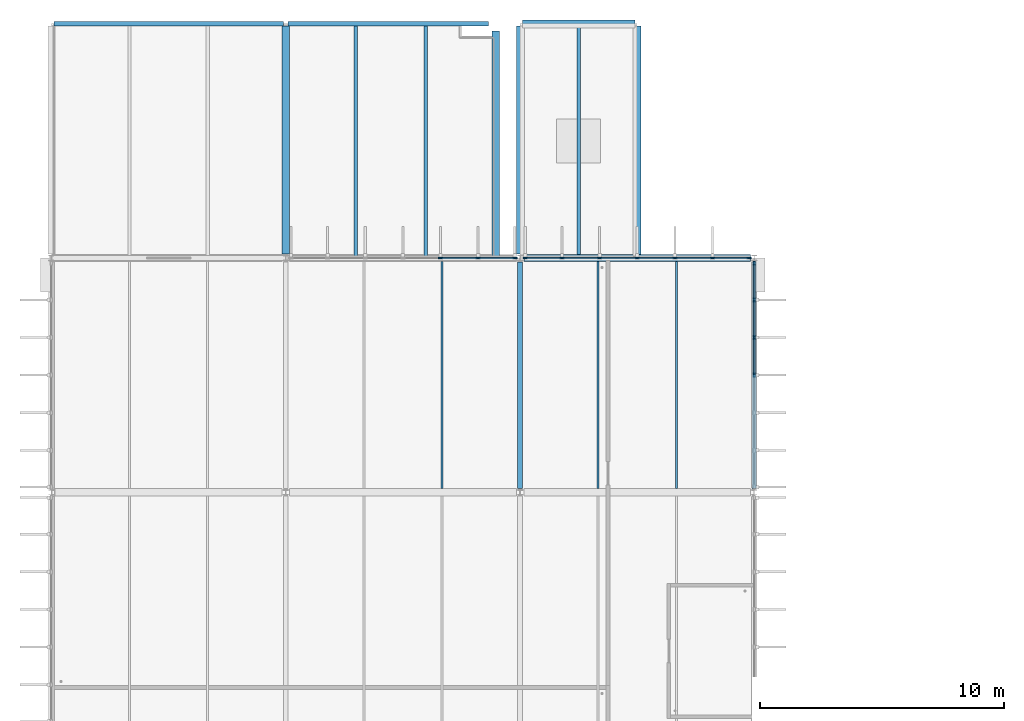
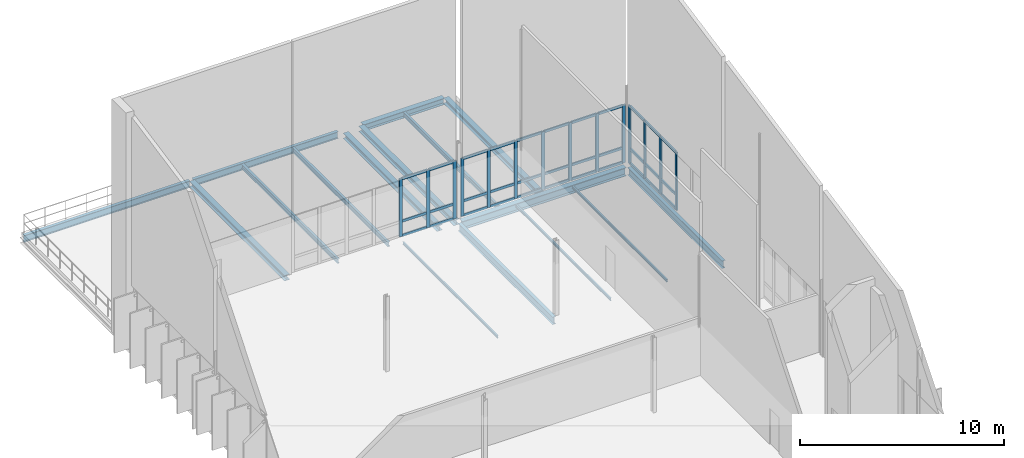
# One storey, part 37 of 93: 47 members, 16 beams, 3 elements without a shape of their own.
"""IFC4 building model written with IfcOpenShell, lengths in metres."""

from ifc_helpers import new_model, si_unit, direction, frame, origin, origin_2d, place, context, subcontext, project, spatial, rectangle, i_section, extrude, material, material_profile, profile_set, type_object, element, aggregate, save


model = new_model("IFC4")

# Units and contexts
model_context = context("Model", 3, precision=1e-05, world=origin(), true_north=direction((0.0, 1.0)))
body_context = subcontext(model_context, "Body", "Model", "MODEL_VIEW")
ifc_project = project(units=[si_unit("LENGTHUNIT", "METRE"), si_unit("AREAUNIT", "SQUARE_METRE"), si_unit("VOLUMEUNIT", "CUBIC_METRE"), si_unit("PLANEANGLEUNIT", "RADIAN"), si_unit("MASSUNIT", "GRAM", prefix="KILO")], contexts=[model_context])

# Site, building, storey
site_placement = place(None, origin())
site = spatial("IfcSite", under=ifc_project, at=site_placement, CompositionType="ELEMENT")
building_placement = place(site_placement, origin())
building = spatial("IfcBuilding", under=site, at=building_placement, Name="Dunescarp Central Library", CompositionType="ELEMENT")
storey_placement = place(building_placement, frame((0.0, 0.0, 14.10009765625)))
storey = spatial("IfcBuildingStorey", under=building, at=storey_placement, Name="L03", CompositionType="ELEMENT", Elevation=14.10009765625)

# Curtain wall, members
ifc_material_1 = material(Name="Marine-grade anodised aluminium 6063-T6", Category="aluminium")
curtain_wall_type = type_object("IfcCurtainWallType", Name="ARC-CW-STICK", PredefinedType="NOTDEFINED", material=ifc_material_1)
curtain_wall_1_placement = place(storey_placement, origin())
curtain_wall_1 = element("IfcCurtainWall", 1, at=curtain_wall_1_placement, inside=storey, type_object=curtain_wall_type, Name="L03 curtain wall CW-V4-135", PredefinedType="NOTDEFINED")
ifc_material_profile_1 = material_profile(ifc_material_1, rectangle(XDim=0.080078125, YDim=0.179931640625, at=origin_2d()), Name="AL 80x180")
ifc_profile_set_1 = profile_set([ifc_material_profile_1], Name="Marine-grade anodised aluminium 6063-T6")
member_type_1 = type_object("IfcMemberType", Name="ARC-CWM-180", PredefinedType="MULLION", material=ifc_profile_set_1)
member_1_placement = place(storey_placement, frame((28.800048828125, 89.385009765625, 0.0), z_axis=(0.0, 0.0, 1.0), x_axis=(1.0, 0.0, 0.0)))
member_1 = element("IfcMember", 2, at=member_1_placement, type_object=member_type_1, Name="CW-V4-135 mullion 1", PredefinedType="MULLION", context=body_context, shape_type="SweptSolid", body=[
    extrude(rectangle(XDim=0.080078125, YDim=0.179931640625, at=origin_2d()), origin(), (0.0, 0.0, 1.0), 3.48193359375),
])
member_2_placement = place(storey_placement, frame((28.800048828125, 87.88330078125, 0.0), z_axis=(0.0, 0.0, 1.0), x_axis=(1.0, 0.0, 0.0)))
member_2 = element("IfcMember", 3, at=member_2_placement, type_object=member_type_1, Name="CW-V4-135 mullion 2", PredefinedType="MULLION", context=body_context, shape_type="SweptSolid", body=[
    extrude(rectangle(XDim=0.080078125, YDim=0.179931640625, at=origin_2d()), origin(), (0.0, 0.0, 1.0), 3.48193359375),
])
member_3_placement = place(storey_placement, frame((28.800048828125, 86.341552734375, 0.0), z_axis=(0.0, 0.0, 1.0), x_axis=(1.0, 0.0, 0.0)))
member_3 = element("IfcMember", 4, at=member_3_placement, type_object=member_type_1, Name="CW-V4-135 mullion 3", PredefinedType="MULLION", context=body_context, shape_type="SweptSolid", body=[
    extrude(rectangle(XDim=0.080078125, YDim=0.179931640625, at=origin_2d()), origin(), (0.0, 0.0, 1.0), 3.48193359375),
])
member_4_placement = place(storey_placement, frame((28.800048828125, 84.800048828125, 0.0), z_axis=(0.0, 0.0, 1.0), x_axis=(1.0, 0.0, 0.0)))
member_4 = element("IfcMember", 5, at=member_4_placement, type_object=member_type_1, Name="CW-V4-135 mullion 4", PredefinedType="MULLION", context=body_context, shape_type="SweptSolid", body=[
    extrude(rectangle(XDim=0.080078125, YDim=0.179931640625, at=origin_2d()), origin(), (0.0, 0.0, 1.0), 3.48193359375),
])

curtain_wall_2_placement = place(storey_placement, origin())
curtain_wall_2 = element("IfcCurtainWall", 6, at=curtain_wall_2_placement, inside=storey, type_object=curtain_wall_type, Name="L03 curtain wall CW-V4-136", PredefinedType="NOTDEFINED")
member_5_placement = place(storey_placement, frame((15.941650390625, 89.60009765625, 0.0), z_axis=(0.0, 0.0, 1.0), x_axis=(0.0, 1.0, 0.0)))
member_5 = element("IfcMember", 7, at=member_5_placement, type_object=member_type_1, Name="CW-V4-136 mullion 5", PredefinedType="MULLION", context=body_context, shape_type="SweptSolid", body=[
    extrude(rectangle(XDim=0.080078125, YDim=0.179931640625, at=origin_2d()), origin(), (0.0, 0.0, 1.0), 3.474853515625),
])
member_6_placement = place(storey_placement, frame((17.4833984375, 89.60009765625, 0.0), z_axis=(0.0, 0.0, 1.0), x_axis=(0.0, 1.0, 0.0)))
member_6 = element("IfcMember", 8, at=member_6_placement, type_object=member_type_1, Name="CW-V4-136 mullion 6", PredefinedType="MULLION", context=body_context, shape_type="SweptSolid", body=[
    extrude(rectangle(XDim=0.080078125, YDim=0.179931640625, at=origin_2d()), origin(), (0.0, 0.0, 1.0), 3.474853515625),
])
member_7_placement = place(storey_placement, frame((18.985107421875, 89.60009765625, 0.0), z_axis=(0.0, 0.0, 1.0), x_axis=(0.0, 1.0, 0.0)))
member_7 = element("IfcMember", 9, at=member_7_placement, type_object=member_type_1, Name="CW-V4-136 mullion 7", PredefinedType="MULLION", context=body_context, shape_type="SweptSolid", body=[
    extrude(rectangle(XDim=0.080078125, YDim=0.179931640625, at=origin_2d()), origin(), (0.0, 0.0, 1.0), 3.474853515625),
])

curtain_wall_3_placement = place(storey_placement, origin())
curtain_wall_3 = element("IfcCurtainWall", 10, at=curtain_wall_3_placement, inside=storey, type_object=curtain_wall_type, Name="L03 curtain wall CW-V4-137", PredefinedType="NOTDEFINED")
member_8_placement = place(storey_placement, frame((19.4150390625, 89.60009765625, 0.0), z_axis=(0.0, 0.0, 1.0), x_axis=(0.0, 1.0, 0.0)))
member_8 = element("IfcMember", 11, at=member_8_placement, type_object=member_type_1, Name="CW-V4-137 mullion 1", PredefinedType="MULLION", context=body_context, shape_type="SweptSolid", body=[
    extrude(rectangle(XDim=0.080078125, YDim=0.179931640625, at=origin_2d()), origin(), (0.0, 0.0, 1.0), 3.474853515625),
])
member_9_placement = place(storey_placement, frame((20.916748046875, 89.60009765625, 0.0), z_axis=(0.0, 0.0, 1.0), x_axis=(0.0, 1.0, 0.0)))
member_9 = element("IfcMember", 12, at=member_9_placement, type_object=member_type_1, Name="CW-V4-137 mullion 2", PredefinedType="MULLION", context=body_context, shape_type="SweptSolid", body=[
    extrude(rectangle(XDim=0.080078125, YDim=0.179931640625, at=origin_2d()), origin(), (0.0, 0.0, 1.0), 3.474853515625),
])
member_10_placement = place(storey_placement, frame((22.458251953125, 89.60009765625, 0.0), z_axis=(0.0, 0.0, 1.0), x_axis=(0.0, 1.0, 0.0)))
member_10 = element("IfcMember", 13, at=member_10_placement, type_object=member_type_1, Name="CW-V4-137 mullion 3", PredefinedType="MULLION", context=body_context, shape_type="SweptSolid", body=[
    extrude(rectangle(XDim=0.080078125, YDim=0.179931640625, at=origin_2d()), origin(), (0.0, 0.0, 1.0), 3.474853515625),
])
member_11_placement = place(storey_placement, frame((24.0, 89.60009765625, 0.0), z_axis=(0.0, 0.0, 1.0), x_axis=(0.0, 1.0, 0.0)))
member_11 = element("IfcMember", 14, at=member_11_placement, type_object=member_type_1, Name="CW-V4-137 mullion 4", PredefinedType="MULLION", context=body_context, shape_type="SweptSolid", body=[
    extrude(rectangle(XDim=0.080078125, YDim=0.179931640625, at=origin_2d()), origin(), (0.0, 0.0, 1.0), 3.474853515625),
])
member_12_placement = place(storey_placement, frame((25.541748046875, 89.60009765625, 0.0), z_axis=(0.0, 0.0, 1.0), x_axis=(0.0, 1.0, 0.0)))
member_12 = element("IfcMember", 15, at=member_12_placement, type_object=member_type_1, Name="CW-V4-137 mullion 5", PredefinedType="MULLION", context=body_context, shape_type="SweptSolid", body=[
    extrude(rectangle(XDim=0.080078125, YDim=0.179931640625, at=origin_2d()), origin(), (0.0, 0.0, 1.0), 3.474853515625),
])
member_13_placement = place(storey_placement, frame((27.083251953125, 89.60009765625, 0.0), z_axis=(0.0, 0.0, 1.0), x_axis=(0.0, 1.0, 0.0)))
member_13 = element("IfcMember", 16, at=member_13_placement, type_object=member_type_1, Name="CW-V4-137 mullion 6", PredefinedType="MULLION", context=body_context, shape_type="SweptSolid", body=[
    extrude(rectangle(XDim=0.080078125, YDim=0.179931640625, at=origin_2d()), origin(), (0.0, 0.0, 1.0), 3.474853515625),
])
member_14_placement = place(storey_placement, frame((28.5849609375, 89.60009765625, 0.0), z_axis=(0.0, 0.0, 1.0), x_axis=(0.0, 1.0, 0.0)))
member_14 = element("IfcMember", 17, at=member_14_placement, type_object=member_type_1, Name="CW-V4-137 mullion 7", PredefinedType="MULLION", context=body_context, shape_type="SweptSolid", body=[
    extrude(rectangle(XDim=0.080078125, YDim=0.179931640625, at=origin_2d()), origin(), (0.0, 0.0, 1.0), 3.474853515625),
])

# Member
ifc_material_profile_2 = material_profile(ifc_material_1, rectangle(XDim=0.080078125, YDim=0.14990234375, at=origin_2d()), Name="AL 80x150")
ifc_profile_set_2 = profile_set([ifc_material_profile_2], Name="Marine-grade anodised aluminium 6063-T6")
member_type_2 = type_object("IfcMemberType", Name="ARC-CWT-150", PredefinedType="USERDEFINED", material=ifc_profile_set_2)
member_15_placement = place(storey_placement, frame((28.800048828125, 89.344970703125, 0.039794921875), z_axis=(0.0, -1.0, 0.0), x_axis=(1.0, 0.0, 0.0)))
member_15 = element("IfcMember", 18, at=member_15_placement, type_object=member_type_2, Name="CW-V4-135 transom 1.1", ObjectType="TRANSOM", PredefinedType="USERDEFINED", context=body_context, shape_type="SweptSolid", body=[
    extrude(rectangle(XDim=0.080078125, YDim=0.14990234375, at=origin_2d()), origin(), (0.0, 0.0, 1.0), 1.421630859375),
])

member_16_placement = place(storey_placement, frame((28.800048828125, 89.344970703125, 0.89990234375), z_axis=(0.0, -1.0, 0.0), x_axis=(1.0, 0.0, 0.0)))
member_16 = element("IfcMember", 19, at=member_16_placement, type_object=member_type_2, Name="CW-V4-135 transom 1.2", ObjectType="TRANSOM", PredefinedType="USERDEFINED", context=body_context, shape_type="SweptSolid", body=[
    extrude(rectangle(XDim=0.080078125, YDim=0.14990234375, at=origin_2d()), origin(), (0.0, 0.0, 1.0), 1.421630859375),
])

member_17_placement = place(storey_placement, frame((28.800048828125, 89.344970703125, 3.44189453125), z_axis=(0.0, -1.0, 0.0), x_axis=(1.0, 0.0, 0.0)))
member_17 = element("IfcMember", 20, at=member_17_placement, type_object=member_type_2, Name="CW-V4-135 transom 1.3", ObjectType="TRANSOM", PredefinedType="USERDEFINED", context=body_context, shape_type="SweptSolid", body=[
    extrude(rectangle(XDim=0.080078125, YDim=0.14990234375, at=origin_2d()), origin(), (0.0, 0.0, 1.0), 1.421630859375),
])

member_18_placement = place(storey_placement, frame((28.800048828125, 87.84326171875, 0.039794921875), z_axis=(0.0, -1.0, 0.0), x_axis=(1.0, 0.0, 0.0)))
member_18 = element("IfcMember", 21, at=member_18_placement, type_object=member_type_2, Name="CW-V4-135 transom 2.1", ObjectType="TRANSOM", PredefinedType="USERDEFINED", context=body_context, shape_type="SweptSolid", body=[
    extrude(rectangle(XDim=0.080078125, YDim=0.14990234375, at=origin_2d()), origin(), (0.0, 0.0, 1.0), 1.461669921875),
])

member_19_placement = place(storey_placement, frame((28.800048828125, 87.84326171875, 0.89990234375), z_axis=(0.0, -1.0, 0.0), x_axis=(1.0, 0.0, 0.0)))
member_19 = element("IfcMember", 22, at=member_19_placement, type_object=member_type_2, Name="CW-V4-135 transom 2.2", ObjectType="TRANSOM", PredefinedType="USERDEFINED", context=body_context, shape_type="SweptSolid", body=[
    extrude(rectangle(XDim=0.080078125, YDim=0.14990234375, at=origin_2d()), origin(), (0.0, 0.0, 1.0), 1.461669921875),
])

member_20_placement = place(storey_placement, frame((28.800048828125, 87.84326171875, 3.44189453125), z_axis=(0.0, -1.0, 0.0), x_axis=(1.0, 0.0, 0.0)))
member_20 = element("IfcMember", 23, at=member_20_placement, type_object=member_type_2, Name="CW-V4-135 transom 2.3", ObjectType="TRANSOM", PredefinedType="USERDEFINED", context=body_context, shape_type="SweptSolid", body=[
    extrude(rectangle(XDim=0.080078125, YDim=0.14990234375, at=origin_2d()), origin(), (0.0, 0.0, 1.0), 1.461669921875),
])

member_21_placement = place(storey_placement, frame((28.800048828125, 86.3017578125, 0.039794921875), z_axis=(0.0, -1.0, 0.0), x_axis=(1.0, 0.0, 0.0)))
member_21 = element("IfcMember", 24, at=member_21_placement, type_object=member_type_2, Name="CW-V4-135 transom 3.1", ObjectType="TRANSOM", PredefinedType="USERDEFINED", context=body_context, shape_type="SweptSolid", body=[
    extrude(rectangle(XDim=0.080078125, YDim=0.14990234375, at=origin_2d()), origin(), (0.0, 0.0, 1.0), 1.461669921875),
])

member_22_placement = place(storey_placement, frame((28.800048828125, 86.3017578125, 0.89990234375), z_axis=(0.0, -1.0, 0.0), x_axis=(1.0, 0.0, 0.0)))
member_22 = element("IfcMember", 25, at=member_22_placement, type_object=member_type_2, Name="CW-V4-135 transom 3.2", ObjectType="TRANSOM", PredefinedType="USERDEFINED", context=body_context, shape_type="SweptSolid", body=[
    extrude(rectangle(XDim=0.080078125, YDim=0.14990234375, at=origin_2d()), origin(), (0.0, 0.0, 1.0), 1.461669921875),
])

member_23_placement = place(storey_placement, frame((28.800048828125, 86.3017578125, 3.44189453125), z_axis=(0.0, -1.0, 0.0), x_axis=(1.0, 0.0, 0.0)))
member_23 = element("IfcMember", 26, at=member_23_placement, type_object=member_type_2, Name="CW-V4-135 transom 3.3", ObjectType="TRANSOM", PredefinedType="USERDEFINED", context=body_context, shape_type="SweptSolid", body=[
    extrude(rectangle(XDim=0.080078125, YDim=0.14990234375, at=origin_2d()), origin(), (0.0, 0.0, 1.0), 1.461669921875),
])

aggregate(curtain_wall_1, [member_1, member_2, member_3, member_4, member_15, member_16, member_17, member_18, member_19, member_20, member_21, member_22, member_23])

member_24_placement = place(storey_placement, frame((15.981689453125, 89.60009765625, 0.039794921875), z_axis=(1.0, 0.0, 0.0), x_axis=(0.0, 1.0, 0.0)))
member_24 = element("IfcMember", 27, at=member_24_placement, type_object=member_type_2, Name="CW-V4-136 transom 5.1", ObjectType="TRANSOM", PredefinedType="USERDEFINED", context=body_context, shape_type="SweptSolid", body=[
    extrude(rectangle(XDim=0.080078125, YDim=0.14990234375, at=origin_2d()), origin(), (0.0, 0.0, 1.0), 1.461669921875),
])

member_25_placement = place(storey_placement, frame((15.981689453125, 89.60009765625, 0.89990234375), z_axis=(1.0, 0.0, 0.0), x_axis=(0.0, 1.0, 0.0)))
member_25 = element("IfcMember", 28, at=member_25_placement, type_object=member_type_2, Name="CW-V4-136 transom 5.2", ObjectType="TRANSOM", PredefinedType="USERDEFINED", context=body_context, shape_type="SweptSolid", body=[
    extrude(rectangle(XDim=0.080078125, YDim=0.14990234375, at=origin_2d()), origin(), (0.0, 0.0, 1.0), 1.461669921875),
])

member_26_placement = place(storey_placement, frame((15.981689453125, 89.60009765625, 3.434814453125), z_axis=(1.0, 0.0, 0.0), x_axis=(0.0, 1.0, 0.0)))
member_26 = element("IfcMember", 29, at=member_26_placement, type_object=member_type_2, Name="CW-V4-136 transom 5.3", ObjectType="TRANSOM", PredefinedType="USERDEFINED", context=body_context, shape_type="SweptSolid", body=[
    extrude(rectangle(XDim=0.080078125, YDim=0.14990234375, at=origin_2d()), origin(), (0.0, 0.0, 1.0), 1.461669921875),
])

member_27_placement = place(storey_placement, frame((17.5234375, 89.60009765625, 0.039794921875), z_axis=(1.0, 0.0, 0.0), x_axis=(0.0, 1.0, 0.0)))
member_27 = element("IfcMember", 30, at=member_27_placement, type_object=member_type_2, Name="CW-V4-136 transom 6.1", ObjectType="TRANSOM", PredefinedType="USERDEFINED", context=body_context, shape_type="SweptSolid", body=[
    extrude(rectangle(XDim=0.080078125, YDim=0.14990234375, at=origin_2d()), origin(), (0.0, 0.0, 1.0), 1.421630859375),
])

member_28_placement = place(storey_placement, frame((17.5234375, 89.60009765625, 0.89990234375), z_axis=(1.0, 0.0, 0.0), x_axis=(0.0, 1.0, 0.0)))
member_28 = element("IfcMember", 31, at=member_28_placement, type_object=member_type_2, Name="CW-V4-136 transom 6.2", ObjectType="TRANSOM", PredefinedType="USERDEFINED", context=body_context, shape_type="SweptSolid", body=[
    extrude(rectangle(XDim=0.080078125, YDim=0.14990234375, at=origin_2d()), origin(), (0.0, 0.0, 1.0), 1.421630859375),
])

member_29_placement = place(storey_placement, frame((17.5234375, 89.60009765625, 3.434814453125), z_axis=(1.0, 0.0, 0.0), x_axis=(0.0, 1.0, 0.0)))
member_29 = element("IfcMember", 32, at=member_29_placement, type_object=member_type_2, Name="CW-V4-136 transom 6.3", ObjectType="TRANSOM", PredefinedType="USERDEFINED", context=body_context, shape_type="SweptSolid", body=[
    extrude(rectangle(XDim=0.080078125, YDim=0.14990234375, at=origin_2d()), origin(), (0.0, 0.0, 1.0), 1.421630859375),
])

aggregate(curtain_wall_2, [member_5, member_6, member_7, member_24, member_25, member_26, member_27, member_28, member_29])

member_30_placement = place(storey_placement, frame((19.455078125, 89.60009765625, 0.039794921875), z_axis=(1.0, 0.0, 0.0), x_axis=(0.0, 1.0, 0.0)))
member_30 = element("IfcMember", 33, at=member_30_placement, type_object=member_type_2, Name="CW-V4-137 transom 1.1", ObjectType="TRANSOM", PredefinedType="USERDEFINED", context=body_context, shape_type="SweptSolid", body=[
    extrude(rectangle(XDim=0.080078125, YDim=0.14990234375, at=origin_2d()), origin(), (0.0, 0.0, 1.0), 1.421630859375),
])

member_31_placement = place(storey_placement, frame((19.455078125, 89.60009765625, 0.89990234375), z_axis=(1.0, 0.0, 0.0), x_axis=(0.0, 1.0, 0.0)))
member_31 = element("IfcMember", 34, at=member_31_placement, type_object=member_type_2, Name="CW-V4-137 transom 1.2", ObjectType="TRANSOM", PredefinedType="USERDEFINED", context=body_context, shape_type="SweptSolid", body=[
    extrude(rectangle(XDim=0.080078125, YDim=0.14990234375, at=origin_2d()), origin(), (0.0, 0.0, 1.0), 1.421630859375),
])

member_32_placement = place(storey_placement, frame((19.455078125, 89.60009765625, 3.434814453125), z_axis=(1.0, 0.0, 0.0), x_axis=(0.0, 1.0, 0.0)))
member_32 = element("IfcMember", 35, at=member_32_placement, type_object=member_type_2, Name="CW-V4-137 transom 1.3", ObjectType="TRANSOM", PredefinedType="USERDEFINED", context=body_context, shape_type="SweptSolid", body=[
    extrude(rectangle(XDim=0.080078125, YDim=0.14990234375, at=origin_2d()), origin(), (0.0, 0.0, 1.0), 1.421630859375),
])

member_33_placement = place(storey_placement, frame((20.956787109375, 89.60009765625, 0.039794921875), z_axis=(1.0, 0.0, 0.0), x_axis=(0.0, 1.0, 0.0)))
member_33 = element("IfcMember", 36, at=member_33_placement, type_object=member_type_2, Name="CW-V4-137 transom 2.1", ObjectType="TRANSOM", PredefinedType="USERDEFINED", context=body_context, shape_type="SweptSolid", body=[
    extrude(rectangle(XDim=0.080078125, YDim=0.14990234375, at=origin_2d()), origin(), (0.0, 0.0, 1.0), 1.46142578125),
])

member_34_placement = place(storey_placement, frame((20.956787109375, 89.60009765625, 0.89990234375), z_axis=(1.0, 0.0, 0.0), x_axis=(0.0, 1.0, 0.0)))
member_34 = element("IfcMember", 37, at=member_34_placement, type_object=member_type_2, Name="CW-V4-137 transom 2.2", ObjectType="TRANSOM", PredefinedType="USERDEFINED", context=body_context, shape_type="SweptSolid", body=[
    extrude(rectangle(XDim=0.080078125, YDim=0.14990234375, at=origin_2d()), origin(), (0.0, 0.0, 1.0), 1.46142578125),
])

member_35_placement = place(storey_placement, frame((20.956787109375, 89.60009765625, 3.434814453125), z_axis=(1.0, 0.0, 0.0), x_axis=(0.0, 1.0, 0.0)))
member_35 = element("IfcMember", 38, at=member_35_placement, type_object=member_type_2, Name="CW-V4-137 transom 2.3", ObjectType="TRANSOM", PredefinedType="USERDEFINED", context=body_context, shape_type="SweptSolid", body=[
    extrude(rectangle(XDim=0.080078125, YDim=0.14990234375, at=origin_2d()), origin(), (0.0, 0.0, 1.0), 1.46142578125),
])

member_36_placement = place(storey_placement, frame((22.498291015625, 89.60009765625, 0.039794921875), z_axis=(1.0, 0.0, 0.0), x_axis=(0.0, 1.0, 0.0)))
member_36 = element("IfcMember", 39, at=member_36_placement, type_object=member_type_2, Name="CW-V4-137 transom 3.1", ObjectType="TRANSOM", PredefinedType="USERDEFINED", context=body_context, shape_type="SweptSolid", body=[
    extrude(rectangle(XDim=0.080078125, YDim=0.14990234375, at=origin_2d()), origin(), (0.0, 0.0, 1.0), 1.461669921875),
])

member_37_placement = place(storey_placement, frame((22.498291015625, 89.60009765625, 0.89990234375), z_axis=(1.0, 0.0, 0.0), x_axis=(0.0, 1.0, 0.0)))
member_37 = element("IfcMember", 40, at=member_37_placement, type_object=member_type_2, Name="CW-V4-137 transom 3.2", ObjectType="TRANSOM", PredefinedType="USERDEFINED", context=body_context, shape_type="SweptSolid", body=[
    extrude(rectangle(XDim=0.080078125, YDim=0.14990234375, at=origin_2d()), origin(), (0.0, 0.0, 1.0), 1.461669921875),
])

member_38_placement = place(storey_placement, frame((22.498291015625, 89.60009765625, 3.434814453125), z_axis=(1.0, 0.0, 0.0), x_axis=(0.0, 1.0, 0.0)))
member_38 = element("IfcMember", 41, at=member_38_placement, type_object=member_type_2, Name="CW-V4-137 transom 3.3", ObjectType="TRANSOM", PredefinedType="USERDEFINED", context=body_context, shape_type="SweptSolid", body=[
    extrude(rectangle(XDim=0.080078125, YDim=0.14990234375, at=origin_2d()), origin(), (0.0, 0.0, 1.0), 1.461669921875),
])

member_39_placement = place(storey_placement, frame((24.0400390625, 89.60009765625, 0.039794921875), z_axis=(1.0, 0.0, 0.0), x_axis=(0.0, 1.0, 0.0)))
member_39 = element("IfcMember", 42, at=member_39_placement, type_object=member_type_2, Name="CW-V4-137 transom 4.1", ObjectType="TRANSOM", PredefinedType="USERDEFINED", context=body_context, shape_type="SweptSolid", body=[
    extrude(rectangle(XDim=0.080078125, YDim=0.14990234375, at=origin_2d()), origin(), (0.0, 0.0, 1.0), 1.461669921875),
])

member_40_placement = place(storey_placement, frame((24.0400390625, 89.60009765625, 0.89990234375), z_axis=(1.0, 0.0, 0.0), x_axis=(0.0, 1.0, 0.0)))
member_40 = element("IfcMember", 43, at=member_40_placement, type_object=member_type_2, Name="CW-V4-137 transom 4.2", ObjectType="TRANSOM", PredefinedType="USERDEFINED", context=body_context, shape_type="SweptSolid", body=[
    extrude(rectangle(XDim=0.080078125, YDim=0.14990234375, at=origin_2d()), origin(), (0.0, 0.0, 1.0), 1.461669921875),
])

member_41_placement = place(storey_placement, frame((24.0400390625, 89.60009765625, 3.434814453125), z_axis=(1.0, 0.0, 0.0), x_axis=(0.0, 1.0, 0.0)))
member_41 = element("IfcMember", 44, at=member_41_placement, type_object=member_type_2, Name="CW-V4-137 transom 4.3", ObjectType="TRANSOM", PredefinedType="USERDEFINED", context=body_context, shape_type="SweptSolid", body=[
    extrude(rectangle(XDim=0.080078125, YDim=0.14990234375, at=origin_2d()), origin(), (0.0, 0.0, 1.0), 1.461669921875),
])

member_42_placement = place(storey_placement, frame((25.581787109375, 89.60009765625, 0.039794921875), z_axis=(1.0, 0.0, 0.0), x_axis=(0.0, 1.0, 0.0)))
member_42 = element("IfcMember", 45, at=member_42_placement, type_object=member_type_2, Name="CW-V4-137 transom 5.1", ObjectType="TRANSOM", PredefinedType="USERDEFINED", context=body_context, shape_type="SweptSolid", body=[
    extrude(rectangle(XDim=0.080078125, YDim=0.14990234375, at=origin_2d()), origin(), (0.0, 0.0, 1.0), 1.46142578125),
])

member_43_placement = place(storey_placement, frame((25.581787109375, 89.60009765625, 0.89990234375), z_axis=(1.0, 0.0, 0.0), x_axis=(0.0, 1.0, 0.0)))
member_43 = element("IfcMember", 46, at=member_43_placement, type_object=member_type_2, Name="CW-V4-137 transom 5.2", ObjectType="TRANSOM", PredefinedType="USERDEFINED", context=body_context, shape_type="SweptSolid", body=[
    extrude(rectangle(XDim=0.080078125, YDim=0.14990234375, at=origin_2d()), origin(), (0.0, 0.0, 1.0), 1.46142578125),
])

member_44_placement = place(storey_placement, frame((25.581787109375, 89.60009765625, 3.434814453125), z_axis=(1.0, 0.0, 0.0), x_axis=(0.0, 1.0, 0.0)))
member_44 = element("IfcMember", 47, at=member_44_placement, type_object=member_type_2, Name="CW-V4-137 transom 5.3", ObjectType="TRANSOM", PredefinedType="USERDEFINED", context=body_context, shape_type="SweptSolid", body=[
    extrude(rectangle(XDim=0.080078125, YDim=0.14990234375, at=origin_2d()), origin(), (0.0, 0.0, 1.0), 1.46142578125),
])

member_45_placement = place(storey_placement, frame((27.123291015625, 89.60009765625, 0.039794921875), z_axis=(1.0, 0.0, 0.0), x_axis=(0.0, 1.0, 0.0)))
member_45 = element("IfcMember", 48, at=member_45_placement, type_object=member_type_2, Name="CW-V4-137 transom 6.1", ObjectType="TRANSOM", PredefinedType="USERDEFINED", context=body_context, shape_type="SweptSolid", body=[
    extrude(rectangle(XDim=0.080078125, YDim=0.14990234375, at=origin_2d()), origin(), (0.0, 0.0, 1.0), 1.421630859375),
])

member_46_placement = place(storey_placement, frame((27.123291015625, 89.60009765625, 0.89990234375), z_axis=(1.0, 0.0, 0.0), x_axis=(0.0, 1.0, 0.0)))
member_46 = element("IfcMember", 49, at=member_46_placement, type_object=member_type_2, Name="CW-V4-137 transom 6.2", ObjectType="TRANSOM", PredefinedType="USERDEFINED", context=body_context, shape_type="SweptSolid", body=[
    extrude(rectangle(XDim=0.080078125, YDim=0.14990234375, at=origin_2d()), origin(), (0.0, 0.0, 1.0), 1.421630859375),
])

member_47_placement = place(storey_placement, frame((27.123291015625, 89.60009765625, 3.434814453125), z_axis=(1.0, 0.0, 0.0), x_axis=(0.0, 1.0, 0.0)))
member_47 = element("IfcMember", 50, at=member_47_placement, type_object=member_type_2, Name="CW-V4-137 transom 6.3", ObjectType="TRANSOM", PredefinedType="USERDEFINED", context=body_context, shape_type="SweptSolid", body=[
    extrude(rectangle(XDim=0.080078125, YDim=0.14990234375, at=origin_2d()), origin(), (0.0, 0.0, 1.0), 1.421630859375),
])

aggregate(curtain_wall_3, [member_8, member_9, member_10, member_11, member_12, member_13, member_14, member_30, member_31, member_32, member_33, member_34, member_35, member_36, member_37, member_38, member_39, member_40, member_41, member_42, member_43, member_44, member_45, member_46, member_47])

# Beams
ifc_material_2 = material(Name="Steel S355JR", Category="steel")
ifc_material_profile_3 = material_profile(ifc_material_2, i_section(OverallWidth=0.300048828125, OverallDepth=0.330078125, WebThickness=0.009521484375, FlangeThickness=0.0166015625, at=origin_2d()), Name="HEA 340")
ifc_profile_set_3 = profile_set([ifc_material_profile_3], Name="Steel S355JR")
beam_type_1 = type_object("IfcBeamType", Name="STR-BM-HEA340", PredefinedType="BEAM", material=ifc_profile_set_3)
beam_1_placement = place(storey_placement, frame((9.60009765625, 89.760986328125, -0.35498046875), z_axis=(0.0, 1.0, 0.0), x_axis=(-1.0, 0.0, 0.0)))
element("IfcBeam", 51, at=beam_1_placement, inside=storey, type_object=beam_type_1, Name="L03 girder BM-L03-1503", PredefinedType="BEAM", context=body_context, shape_type="SweptSolid", body=[
    extrude(i_section(OverallWidth=0.300048828125, OverallDepth=0.330078125, WebThickness=0.009521484375, FlangeThickness=0.0166015625, at=origin_2d()), origin(), (0.0, 0.0, 1.0), 9.340087890625),
])
beam_2_placement = place(storey_placement, frame((18.199951171875, 89.68603515625, -0.35498046875), z_axis=(0.0, 1.0, 0.0), x_axis=(-1.0, 0.0, 0.0)))
element("IfcBeam", 52, at=beam_2_placement, inside=storey, type_object=beam_type_1, Name="L03 girder BM-L03-1507", PredefinedType="BEAM", context=body_context, shape_type="SweptSolid", body=[
    extrude(i_section(OverallWidth=0.300048828125, OverallDepth=0.330078125, WebThickness=0.009521484375, FlangeThickness=0.0166015625, at=origin_2d()), origin(), (0.0, 0.0, 1.0), 9.217041015625),
])
beam_3_placement = place(storey_placement, frame((19.199951171875, 89.760986328125, -0.405029296875), z_axis=(0.0, 1.0, 0.0), x_axis=(-1.0, 0.0, 0.0)))
element("IfcBeam", 53, at=beam_3_placement, inside=storey, type_object=beam_type_1, Name="L03 girder BM-L03-20036", PredefinedType="BEAM", context=body_context, shape_type="SweptSolid", body=[
    extrude(i_section(OverallWidth=0.300048828125, OverallDepth=0.330078125, WebThickness=0.009521484375, FlangeThickness=0.0166015625, at=origin_2d()), origin(), (0.0, 0.0, 1.0), 9.340087890625),
])
beam_4_placement = place(storey_placement, frame((24.0, 89.698974609375, -0.405029296875), z_axis=(0.0, 1.0, 0.0), x_axis=(-1.0, 0.0, 0.0)))
element("IfcBeam", 54, at=beam_4_placement, inside=storey, type_object=beam_type_1, Name="L03 girder BM-L03-20037", PredefinedType="BEAM", context=body_context, shape_type="SweptSolid", body=[
    extrude(i_section(OverallWidth=0.300048828125, OverallDepth=0.330078125, WebThickness=0.009521484375, FlangeThickness=0.0166015625, at=origin_2d()), origin(), (0.0, 0.0, 1.0), 9.402099609375),
])
ifc_material_profile_4 = material_profile(ifc_material_2, i_section(OverallWidth=0.300048828125, OverallDepth=0.389892578125, WebThickness=0.010986328125, FlangeThickness=0.01904296875, at=origin_2d()), Name="HEA 400")
ifc_profile_set_4 = profile_set([ifc_material_profile_4], Name="Steel S355JR")
beam_type_2 = type_object("IfcBeamType", Name="STR-BM-HEA400", PredefinedType="BEAM", material=ifc_profile_set_4)
beam_5_placement = place(storey_placement, frame((19.299072265625, 99.199951171875, -0.43505859375), z_axis=(1.0, 0.0, 0.0), x_axis=(0.0, 1.0, 0.0)))
element("IfcBeam", 55, at=beam_5_placement, inside=storey, type_object=beam_type_2, Name="L03 girder BM-L03-20035", PredefinedType="BEAM", context=body_context, shape_type="SweptSolid", body=[
    extrude(i_section(OverallWidth=0.300048828125, OverallDepth=0.389892578125, WebThickness=0.010986328125, FlangeThickness=0.01904296875, at=origin_2d()), origin(), (0.0, 0.0, 1.0), 4.601806640625),
])
ifc_material_profile_5 = material_profile(ifc_material_2, i_section(OverallWidth=0.300048828125, OverallDepth=0.5, WebThickness=0.014404296875, FlangeThickness=0.028076171875, at=origin_2d()), Name="HEB 500")
ifc_profile_set_5 = profile_set([ifc_material_profile_5], Name="Steel S355JR")
beam_type_3 = type_object("IfcBeamType", Name="STR-BM-HEB500", PredefinedType="BEAM", material=ifc_profile_set_5)
beam_6_placement = place(storey_placement, frame((19.35302734375, 89.60009765625, -0.489990234375), z_axis=(1.0, 0.0, 0.0), x_axis=(0.0, 1.0, 0.0)))
element("IfcBeam", 56, at=beam_6_placement, inside=storey, type_object=beam_type_3, Name="L03 girder BM-L03-1067", PredefinedType="BEAM", context=body_context, shape_type="SweptSolid", body=[
    extrude(i_section(OverallWidth=0.300048828125, OverallDepth=0.5, WebThickness=0.014404296875, FlangeThickness=0.028076171875, at=origin_2d()), origin(), (0.0, 0.0, 1.0), 9.2939453125),
])
ifc_material_profile_6 = material_profile(ifc_material_2, i_section(OverallWidth=0.18994140625, OverallDepth=0.453369140625, WebThickness=0.008544921875, FlangeThickness=0.0126953125, at=origin_2d()), Name="UB 457x191x67")
ifc_profile_set_6 = profile_set([ifc_material_profile_6], Name="Steel S355JR")
beam_type_4 = type_object("IfcBeamType", Name="STR-BM-UB457", PredefinedType="BEAM", material=ifc_profile_set_6)
for number, where, z_axis, x_axis, name in (
    (57, (19.199951171875, 80.160888671875, -0.467041015625), (0.0, 1.0, 0.0), (-1.0, 0.0, 0.0), "L03 girder BM-L03-1055"),
    (58, (28.800048828125, 80.160888671875, -0.467041015625), (0.0, 1.0, 0.0), (-1.0, 0.0, 0.0), "L03 girder BM-L03-1068"),
):
    element("IfcBeam", number, at=place(storey_placement, frame(where, z_axis=z_axis, x_axis=x_axis)), inside=storey, type_object=beam_type_4, Name=name, PredefinedType="BEAM", context=body_context, shape_type="SweptSolid", body=[
        extrude(i_section(OverallWidth=0.18994140625, OverallDepth=0.453369140625, WebThickness=0.008544921875, FlangeThickness=0.0126953125, at=origin_2d()), origin(), (0.0, 0.0, 1.0), 9.278076171875),
    ])
ifc_material_profile_7 = material_profile(ifc_material_2, i_section(OverallWidth=0.08203125, OverallDepth=0.159912109375, WebThickness=0.0048828125, FlangeThickness=0.00732421875, at=origin_2d()), Name="IPE 160")
ifc_profile_set_7 = profile_set([ifc_material_profile_7], Name="Steel S355JR")
beam_type_5 = type_object("IfcBeamType", Name="STR-JS-IPE160", PredefinedType="JOIST", material=ifc_profile_set_7)
for number, where, z_axis, x_axis, name in (
    (59, (16.0, 80.14794921875, -0.320068359375), (0.0, 1.0, 0.0), (-1.0, 0.0, 0.0), "L03 joist JS-L03-1057"),
    (60, (22.39990234375, 80.14794921875, -0.320068359375), (0.0, 1.0, 0.0), (-1.0, 0.0, 0.0), "L03 joist JS-L03-1069"),
    (61, (25.60009765625, 80.14794921875, -0.320068359375), (0.0, 1.0, 0.0), (-1.0, 0.0, 0.0), "L03 joist JS-L03-1070"),
):
    element("IfcBeam", number, at=place(storey_placement, frame(where, z_axis=z_axis, x_axis=x_axis)), inside=storey, type_object=beam_type_5, Name=name, PredefinedType="JOIST", context=body_context, shape_type="SweptSolid", body=[
        extrude(i_section(OverallWidth=0.08203125, OverallDepth=0.159912109375, WebThickness=0.0048828125, FlangeThickness=0.00732421875, at=origin_2d()), origin(), (0.0, 0.0, 1.0), 9.303955078125),
    ])
ifc_material_profile_8 = material_profile(ifc_material_2, i_section(OverallWidth=0.135009765625, OverallDepth=0.27001953125, WebThickness=0.006591796875, FlangeThickness=0.01025390625, at=origin_2d()), Name="IPE 270")
ifc_profile_set_8 = profile_set([ifc_material_profile_8], Name="Steel S355JR")
beam_type_6 = type_object("IfcBeamType", Name="STR-JS-IPE270", PredefinedType="JOIST", material=ifc_profile_set_8)
for number, where, z_axis, x_axis, name in (
    (62, (12.467041015625, 89.68701171875, -0.3251953125), (0.0, 1.0, 0.0), (-1.0, 0.0, 0.0), "L03 joist JS-L03-1508"),
    (63, (15.3330078125, 89.68701171875, -0.3251953125), (0.0, 1.0, 0.0), (-1.0, 0.0, 0.0), "L03 joist JS-L03-1509"),
):
    element("IfcBeam", number, at=place(storey_placement, frame(where, z_axis=z_axis, x_axis=x_axis)), inside=storey, type_object=beam_type_6, Name=name, PredefinedType="JOIST", context=body_context, shape_type="SweptSolid", body=[
        extrude(i_section(OverallWidth=0.135009765625, OverallDepth=0.27001953125, WebThickness=0.006591796875, FlangeThickness=0.01025390625, at=origin_2d()), origin(), (0.0, 0.0, 1.0), 9.426025390625),
    ])
beam_7_placement = place(storey_placement, frame((21.60009765625, 89.748046875, -0.375), z_axis=(0.0, 1.0, 0.0), x_axis=(-1.0, 0.0, 0.0)))
element("IfcBeam", 64, at=beam_7_placement, inside=storey, type_object=beam_type_6, Name="L03 joist JS-L03-20038", PredefinedType="JOIST", context=body_context, shape_type="SweptSolid", body=[
    extrude(i_section(OverallWidth=0.135009765625, OverallDepth=0.27001953125, WebThickness=0.006591796875, FlangeThickness=0.01025390625, at=origin_2d()), origin(), (0.0, 0.0, 1.0), 9.303955078125),
])
ifc_material_profile_9 = material_profile(ifc_material_2, i_section(OverallWidth=0.177978515625, OverallDepth=0.406494140625, WebThickness=0.0078125, FlangeThickness=0.0126953125, at=origin_2d()), Name="UB 406x178x60")
ifc_profile_set_9 = profile_set([ifc_material_profile_9], Name="Steel S355JR")
beam_type_7 = type_object("IfcBeamType", Name="STR-SP-UB406", PredefinedType="SPANDREL", material=ifc_profile_set_9)
beam_8_placement = place(storey_placement, frame((0.09912109375, 99.199951171875, -0.39306640625), z_axis=(1.0, 0.0, 0.0), x_axis=(0.0, 1.0, 0.0)))
element("IfcBeam", 65, at=beam_8_placement, inside=storey, type_object=beam_type_7, Name="L03 girder BM-L03-1501", PredefinedType="SPANDREL", context=body_context, shape_type="SweptSolid", body=[
    extrude(i_section(OverallWidth=0.177978515625, OverallDepth=0.406494140625, WebThickness=0.0078125, FlangeThickness=0.0126953125, at=origin_2d()), origin(), (0.0, 0.0, 1.0), 9.40185546875),
])
beam_9_placement = place(storey_placement, frame((9.698974609375, 99.199951171875, -0.39306640625), z_axis=(1.0, 0.0, 0.0), x_axis=(0.0, 1.0, 0.0)))
element("IfcBeam", 66, at=beam_9_placement, inside=storey, type_object=beam_type_7, Name="L03 girder BM-L03-1506", PredefinedType="SPANDREL", context=body_context, shape_type="SweptSolid", body=[
    extrude(i_section(OverallWidth=0.177978515625, OverallDepth=0.406494140625, WebThickness=0.0078125, FlangeThickness=0.0126953125, at=origin_2d()), origin(), (0.0, 0.0, 1.0), 8.2041015625),
])

save(model, "model.ifc")
